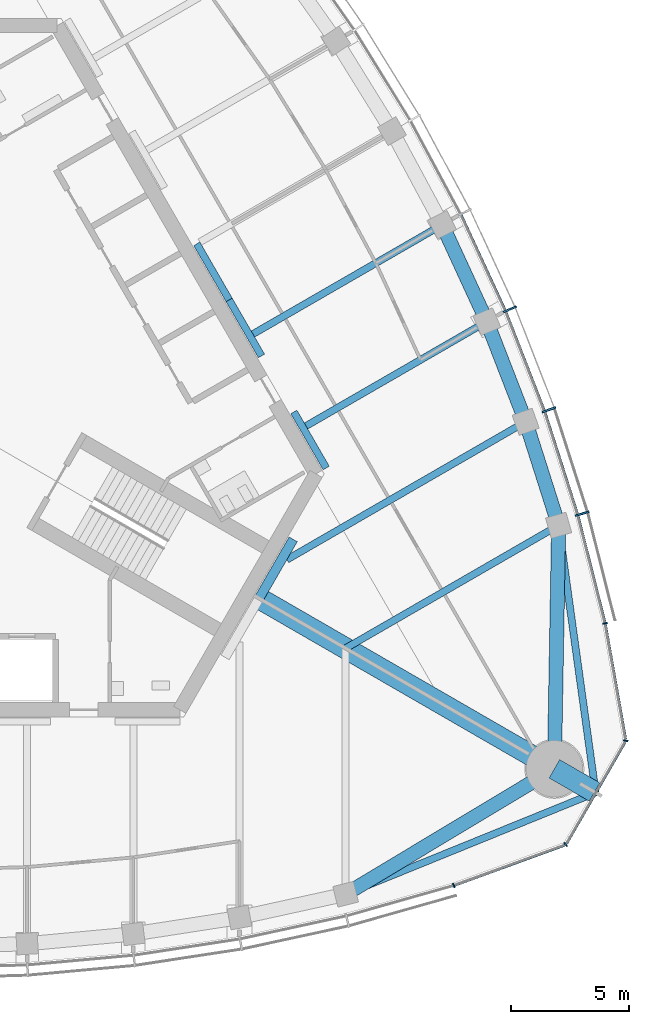
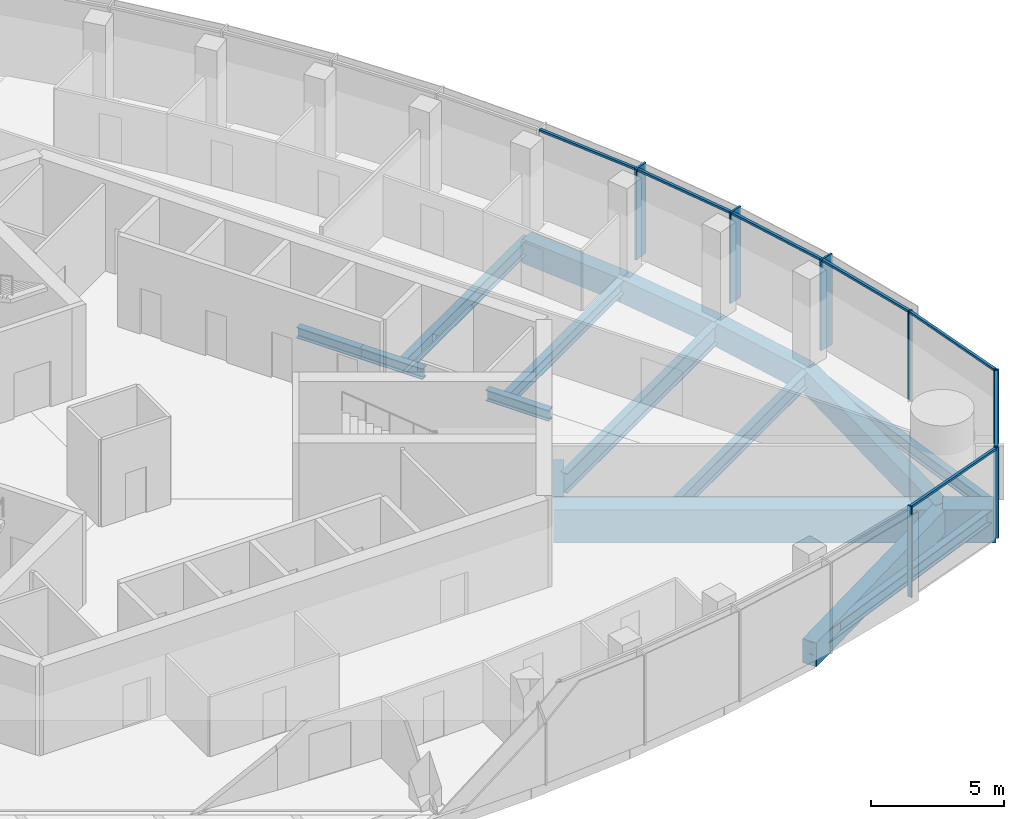
# One storey, part 4 of 16: 17 beams, 14 members, 2 elements without a shape of their own.
"""IFC4 building model written with IfcOpenShell, lengths in metres."""

from ifc_helpers import new_model, si_unit, direction, frame, origin, origin_2d, place, context, subcontext, project, spatial, rectangle, i_section, extrude, material, material_profile, profile_set, type_object, element, aggregate, save


model = new_model("IFC4")

# Units and contexts
model_context = context("Model", 3, precision=1e-05, world=origin(), true_north=direction((0.0, 1.0)))
body_context = subcontext(model_context, "Body", "Model", "MODEL_VIEW")
ifc_project = project(units=[si_unit("LENGTHUNIT", "METRE"), si_unit("AREAUNIT", "SQUARE_METRE"), si_unit("VOLUMEUNIT", "CUBIC_METRE"), si_unit("PLANEANGLEUNIT", "RADIAN"), si_unit("MASSUNIT", "GRAM", prefix="KILO")], contexts=[model_context])

# Site, building, storey
site_placement = place(None, origin())
site = spatial("IfcSite", under=ifc_project, at=site_placement, CompositionType="ELEMENT")
building_placement = place(site_placement, origin())
building = spatial("IfcBuilding", under=site, at=building_placement, Name="Trefoil Bronze Tower", CompositionType="ELEMENT")
storey_placement = place(building_placement, frame((0.0, 0.0, 301.5)))
storey = spatial("IfcBuildingStorey", under=building, at=storey_placement, Name="L69", CompositionType="ELEMENT", Elevation=301.5)

# Curtain wall, members
ifc_material_1 = material(Name="Tinted solar-control glass", Category="glass")
curtain_wall_type_1 = type_object("IfcCurtainWallType", Name="Bronze office curtain wall", PredefinedType="USERDEFINED", material=ifc_material_1)
curtain_wall_1_placement = place(storey_placement, origin())
curtain_wall_1 = element("IfcCurtainWall", 1, at=curtain_wall_1_placement, inside=storey, type_object=curtain_wall_type_1, Name="CW-A L69 F2", ObjectType="CURTAIN WALL", PredefinedType="USERDEFINED")
ifc_material_2 = material(Name="Bronze-finish aluminium", Category="aluminium")
ifc_material_profile_1 = material_profile(ifc_material_2, rectangle(XDim=0.60009765625, YDim=0.080078125, at=origin_2d()), Name="CW-A mullion")
ifc_profile_set_1 = profile_set([ifc_material_profile_1], Name="Bronze-finish aluminium")
member_type_1 = type_object("IfcMemberType", Name="Bronze office curtain wall mullion", PredefinedType="MULLION", material=ifc_profile_set_1)
member_1_placement = place(storey_placement, frame((28.02978515625, -4.685546875, 0.0), z_axis=(0.0, 0.0, 1.0), x_axis=(-0.961395843746, -0.275169096426, 0.0)))
member_1 = element("IfcMember", 2, at=member_1_placement, type_object=member_type_1, Name="CW-A L69 F2 mullion 2", PredefinedType="MULLION", context=body_context, shape_type="SweptSolid", body=[
    extrude(rectangle(XDim=0.60009765625, YDim=0.080078125, at=origin_2d()), origin(), (0.0, 0.0, 1.0), 4.179931640625),
])
member_2_placement = place(storey_placement, frame((26.618896484375, -0.282958984375, 0.0), z_axis=(0.0, 0.0, 1.0), x_axis=(-0.942448408407, -0.334351607581, 0.0)))
member_2 = element("IfcMember", 3, at=member_2_placement, type_object=member_type_1, Name="CW-A L69 F2 mullion 3", PredefinedType="MULLION", context=body_context, shape_type="SweptSolid", body=[
    extrude(rectangle(XDim=0.60009765625, YDim=0.080078125, at=origin_2d()), origin(), (0.0, 0.0, 1.0), 4.179931640625),
])
member_3_placement = place(storey_placement, frame((24.958984375, 3.975830078125, 0.0), z_axis=(0.0, 0.0, 1.0), x_axis=(-0.920205407004, -0.391435829888, 0.0)))
member_3 = element("IfcMember", 4, at=member_3_placement, type_object=member_type_1, Name="CW-A L69 F2 mullion 4", PredefinedType="MULLION", context=body_context, shape_type="SweptSolid", body=[
    extrude(rectangle(XDim=0.60009765625, YDim=0.080078125, at=origin_2d()), origin(), (0.0, 0.0, 1.0), 4.179931640625),
])
ifc_material_3 = material(Name="Bronze-finish aluminium", Category="aluminium")
ifc_material_profile_2 = material_profile(ifc_material_3, rectangle(XDim=0.1201171875, YDim=0.10009765625, at=origin_2d()), Name="CW-A transom")
ifc_profile_set_2 = profile_set([ifc_material_profile_2], Name="Bronze-finish aluminium")
member_type_2 = type_object("IfcMemberType", Name="Bronze office curtain wall transom", PredefinedType="USERDEFINED", material=ifc_profile_set_2)
member_4_placement = place(storey_placement, frame((28.986328125, -9.288330078125, 4.1298828125), z_axis=(-0.244908148095, 0.969546285123, 0.0), x_axis=(-0.969546285123, -0.244908148095, 0.0)))
member_4 = element("IfcMember", 5, at=member_4_placement, type_object=member_type_2, Name="CW-A L69 F2 transom 1", ObjectType="TRANSOM", PredefinedType="USERDEFINED", context=body_context, shape_type="SweptSolid", body=[
    extrude(rectangle(XDim=0.1201171875, YDim=0.10009765625, at=origin_2d()), origin(), (0.0, 0.0, 1.0), 4.6474609375),
])
member_5_placement = place(storey_placement, frame((27.824462890625, -4.699462890625, 4.1298828125), z_axis=(-0.305198606794, 0.95228872219, 0.0), x_axis=(-0.95228872219, -0.305198606794, 0.0)))
member_5 = element("IfcMember", 6, at=member_5_placement, type_object=member_type_2, Name="CW-A L69 F2 transom 2", ObjectType="TRANSOM", PredefinedType="USERDEFINED", context=body_context, shape_type="SweptSolid", body=[
    extrude(rectangle(XDim=0.1201171875, YDim=0.10009765625, at=origin_2d()), origin(), (0.0, 0.0, 1.0), 4.5244140625),
])
member_6_placement = place(storey_placement, frame((26.414794921875, -0.3095703125, 4.1298828125), z_axis=(-0.363178486404, 0.931719586042, 0.0), x_axis=(-0.931719586042, -0.363178486404, 0.0)))
member_6 = element("IfcMember", 7, at=member_6_placement, type_object=member_type_2, Name="CW-A L69 F2 transom 3", ObjectType="TRANSOM", PredefinedType="USERDEFINED", context=body_context, shape_type="SweptSolid", body=[
    extrude(rectangle(XDim=0.1201171875, YDim=0.10009765625, at=origin_2d()), origin(), (0.0, 0.0, 1.0), 4.472412109375),
])
member_7_placement = place(storey_placement, frame((24.7568359375, 3.9365234375, 4.1298828125), z_axis=(-0.4192988407, 0.907848270466, 0.0), x_axis=(-0.907848270466, -0.4192988407, 0.0)))
member_7 = element("IfcMember", 8, at=member_7_placement, type_object=member_type_2, Name="CW-A L69 F2 transom 4", ObjectType="TRANSOM", PredefinedType="USERDEFINED", context=body_context, shape_type="SweptSolid", body=[
    extrude(rectangle(XDim=0.1201171875, YDim=0.10009765625, at=origin_2d()), origin(), (0.0, 0.0, 1.0), 4.4384765625),
])
aggregate(curtain_wall_1, [member_1, member_2, member_3, member_4, member_5, member_6, member_7])

ifc_material_4 = material(Name="Tinted solar-control glass", Category="glass")
curtain_wall_type_2 = type_object("IfcCurtainWallType", Name="Bronze rounded corner curtain wall", PredefinedType="USERDEFINED", material=ifc_material_4)
curtain_wall_2_placement = place(storey_placement, origin())
curtain_wall_2 = element("IfcCurtainWall", 9, at=curtain_wall_2_placement, inside=storey, type_object=curtain_wall_type_2, Name="CW-B L69 K1", ObjectType="CURTAIN WALL", PredefinedType="USERDEFINED")
ifc_material_5 = material(Name="Bronze-finish aluminium", Category="aluminium")
ifc_material_profile_3 = material_profile(ifc_material_5, rectangle(XDim=0.199951171875, YDim=0.06005859375, at=origin_2d()), Name="CW-B mullion")
ifc_profile_set_3 = profile_set([ifc_material_profile_3], Name="Bronze-finish aluminium")
member_type_3 = type_object("IfcMemberType", Name="Bronze rounded corner curtain wall mullion", PredefinedType="MULLION", material=ifc_profile_set_3)
member_8_placement = place(storey_placement, frame((22.58251953125, -20.445556640625, 0.0), z_axis=(0.0, 0.0, 1.0), x_axis=(-0.342020143326, 0.939692620786, 0.0)))
member_8 = element("IfcMember", 10, at=member_8_placement, type_object=member_type_3, Name="CW-B L69 K1 mullion 1", PredefinedType="MULLION", context=body_context, shape_type="SweptSolid", body=[
    extrude(rectangle(XDim=0.199951171875, YDim=0.06005859375, at=origin_2d()), origin(), (0.0, 0.0, 1.0), 4.179931640625),
])
member_9_placement = place(storey_placement, frame((27.326416015625, -18.712646484375, 0.0), z_axis=(0.0, 0.0, 1.0), x_axis=(-0.642787609687, 0.766044443119, 0.0)))
member_9 = element("IfcMember", 11, at=member_9_placement, type_object=member_type_3, Name="CW-B L69 K1 mullion 2", PredefinedType="MULLION", context=body_context, shape_type="SweptSolid", body=[
    extrude(rectangle(XDim=0.199951171875, YDim=0.06005859375, at=origin_2d()), origin(), (0.0, 0.0, 1.0), 4.179931640625),
])
member_10_placement = place(storey_placement, frame((29.86865234375, -14.30908203125, 0.0), z_axis=(0.0, 0.0, 1.0), x_axis=(-0.984807753012, 0.173648177667, 0.0)))
member_10 = element("IfcMember", 12, at=member_10_placement, type_object=member_type_3, Name="CW-B L69 K1 mullion 3", PredefinedType="MULLION", context=body_context, shape_type="SweptSolid", body=[
    extrude(rectangle(XDim=0.199951171875, YDim=0.06005859375, at=origin_2d()), origin(), (0.0, 0.0, 1.0), 4.179931640625),
])
member_11_placement = place(storey_placement, frame((28.99755859375, -9.334228515625, 0.0), z_axis=(0.0, 0.0, 1.0), x_axis=(-0.984807753012, -0.173648177667, 0.0)))
member_11 = element("IfcMember", 13, at=member_11_placement, type_object=member_type_3, Name="CW-B L69 K1 mullion 4", PredefinedType="MULLION", context=body_context, shape_type="SweptSolid", body=[
    extrude(rectangle(XDim=0.199951171875, YDim=0.06005859375, at=origin_2d()), origin(), (0.0, 0.0, 1.0), 4.179931640625),
])
ifc_material_6 = material(Name="Bronze-finish aluminium", Category="aluminium")
ifc_material_profile_4 = material_profile(ifc_material_6, rectangle(XDim=0.1201171875, YDim=0.10009765625, at=origin_2d()), Name="CW-B transom")
ifc_profile_set_4 = profile_set([ifc_material_profile_4], Name="Bronze-finish aluminium")
member_type_4 = type_object("IfcMemberType", Name="Bronze rounded corner curtain wall transom", PredefinedType="USERDEFINED", material=ifc_profile_set_4)
member_12_placement = place(storey_placement, frame((22.610595703125, -20.435302734375, 4.1298828125), z_axis=(0.93969990549, 0.342000128103, 0.0), x_axis=(-0.342000128103, 0.93969990549, 0.0)))
member_12 = element("IfcMember", 14, at=member_12_placement, type_object=member_type_4, Name="CW-B L69 K1 transom 1", ObjectType="TRANSOM", PredefinedType="USERDEFINED", context=body_context, shape_type="SweptSolid", body=[
    extrude(rectangle(XDim=0.1201171875, YDim=0.10009765625, at=origin_2d()), origin(), (0.0, 0.0, 1.0), 4.956298828125),
])
member_13_placement = place(storey_placement, frame((27.36376953125, -18.659912109375, 4.1298828125), z_axis=(0.499985403706, 0.866033830794, 0.0), x_axis=(-0.866033830794, 0.499985403706, 0.0)))
member_13 = element("IfcMember", 15, at=member_13_placement, type_object=member_type_4, Name="CW-B L69 K1 transom 2", ObjectType="TRANSOM", PredefinedType="USERDEFINED", context=body_context, shape_type="SweptSolid", body=[
    extrude(rectangle(XDim=0.1201171875, YDim=0.10009765625, at=origin_2d()), origin(), (0.0, 0.0, 1.0), 4.956298828125),
])
member_14_placement = place(storey_placement, frame((29.863525390625, -14.244873046875, 4.1298828125), z_axis=(-0.173633591509, 0.984810324834, 0.0), x_axis=(-0.984810324834, -0.173633591509, 0.0)))
member_14 = element("IfcMember", 16, at=member_14_placement, type_object=member_type_4, Name="CW-B L69 K1 transom 3", ObjectType="TRANSOM", PredefinedType="USERDEFINED", context=body_context, shape_type="SweptSolid", body=[
    extrude(rectangle(XDim=0.1201171875, YDim=0.10009765625, at=origin_2d()), origin(), (0.0, 0.0, 1.0), 4.956298828125),
])
aggregate(curtain_wall_2, [member_8, member_9, member_10, member_11, member_12, member_13, member_14])

# Beams
ifc_material_7 = material(Name="Steel C355", Category="steel")
ifc_material_profile_5 = material_profile(ifc_material_7, i_section(OverallWidth=0.300048828125, OverallDepth=0.5, WebThickness=0.014404296875, FlangeThickness=0.028076171875, FilletRadius=0.027099609375, at=origin_2d()), Name="HEB 500")
ifc_profile_set_5 = profile_set([ifc_material_profile_5], Name="Steel C355")
beam_type_1 = type_object("IfcBeamType", Name="Core seat beam HEB 500", PredefinedType="BEAM", material=ifc_profile_set_5)
for number, where, z_axis, x_axis, name in (
    (17, (17.17626953125, -2.75, -0.449951171875), (-0.500035825175, 0.866004719122, 0.0), (-0.866004719122, -0.500035825175, 0.0), "Core seat beam F2/-2 L69"),
    (18, (14.433837890625, 2.0, -0.449951171875), (-0.500035825175, 0.866004719122, 0.0), (-0.866004719122, -0.500035825175, 0.0), "Core seat beam F2/-1 L69"),
    (19, (13.0625, 4.375, -0.449951171875), (-0.499969057507, 0.866043267704, 0.0), (-0.866043267704, -0.499969057507, 0.0), "Core seat beam F2/+0 L69"),
):
    element("IfcBeam", number, at=place(storey_placement, frame(where, z_axis=z_axis, x_axis=x_axis)), inside=storey, type_object=beam_type_1, Name=name, PredefinedType="BEAM", context=body_context, shape_type="SweptSolid", body=[
        extrude(i_section(OverallWidth=0.300048828125, OverallDepth=0.5, WebThickness=0.014404296875, FlangeThickness=0.028076171875, FilletRadius=0.027099609375, at=origin_2d()), origin(), (0.0, 0.0, 1.0), 2.742431640625),
    ])
ifc_material_8 = material(Name="Steel C355", Category="steel")
ifc_material_profile_6 = material_profile(ifc_material_8, i_section(OverallWidth=0.39990234375, OverallDepth=1.199951171875, WebThickness=0.02001953125, FlangeThickness=0.0400390625, FilletRadius=0.010009765625, at=origin_2d()), Name="WPG 1200")
ifc_profile_set_6 = profile_set([ifc_material_profile_6], Name="Steel C355")
beam_type_2 = type_object("IfcBeamType", Name="Core seat beam WPG 1200", PredefinedType="BEAM", material=ifc_profile_set_6)
beam_1_placement = place(storey_placement, frame((14.332763671875, -8.27490234375, -0.800048828125), z_axis=(0.499995765644, 0.866027848477, 0.0), x_axis=(-0.866027848477, 0.499995765644, 0.0)))
element("IfcBeam", 20, at=beam_1_placement, inside=storey, type_object=beam_type_2, Name="Core seat beam F2/-3 L69", PredefinedType="BEAM", context=body_context, shape_type="SweptSolid", body=[
    extrude(i_section(OverallWidth=0.39990234375, OverallDepth=1.199951171875, WebThickness=0.02001953125, FlangeThickness=0.0400390625, FilletRadius=0.010009765625, at=origin_2d()), origin(), (0.0, 0.0, 1.0), 2.88671875),
])
ifc_material_9 = material(Name="Concrete B80", Category="concrete")
ifc_material_profile_7 = material_profile(ifc_material_9, rectangle(XDim=0.89990234375, YDim=1.5, at=origin_2d()), Name="RC 900x1500")
ifc_profile_set_7 = profile_set([ifc_material_profile_7], Name="Concrete B80")
beam_type_3 = type_object("IfcBeamType", Name="Corner cantilever RC 900x1500", PredefinedType="BEAM", material=ifc_profile_set_7)
beam_2_placement = place(storey_placement, frame((26.8466796875, -15.5, -0.949951171875), z_axis=(0.866010470582, -0.500025864173, 0.0), x_axis=(0.500025864173, 0.866010470582, 0.0)))
element("IfcBeam", 21, at=beam_2_placement, inside=storey, type_object=beam_type_3, Name="Corner cantilever K1 L69", PredefinedType="BEAM", context=body_context, shape_type="SweptSolid", body=[
    extrude(rectangle(XDim=0.89990234375, YDim=1.5, at=origin_2d()), origin(), (0.0, 0.0, 1.0), 2.02001953125),
])
ifc_material_10 = material(Name="Steel C355", Category="steel")
ifc_material_profile_8 = material_profile(ifc_material_10, i_section(OverallWidth=0.300048828125, OverallDepth=0.60009765625, WebThickness=0.015380859375, FlangeThickness=0.030029296875, FilletRadius=0.027099609375, at=origin_2d()), Name="HEB 600")
ifc_profile_set_8 = profile_set([ifc_material_profile_8], Name="Steel C355")
beam_type_4 = type_object("IfcBeamType", Name="Corner edge beam HEB 600", PredefinedType="BEAM", material=ifc_profile_set_8)
beam_3_placement = place(storey_placement, frame((18.0, -20.816162109375, -0.5), z_axis=(0.926419351914, 0.376493272714, 0.0), x_axis=(-0.376493272714, 0.926419351914, 0.0)))
element("IfcBeam", 22, at=beam_3_placement, inside=storey, type_object=beam_type_4, Name="Corner edge beam F1A L69", PredefinedType="BEAM", context=body_context, shape_type="SweptSolid", body=[
    extrude(i_section(OverallWidth=0.300048828125, OverallDepth=0.60009765625, WebThickness=0.015380859375, FlangeThickness=0.030029296875, FilletRadius=0.027099609375, at=origin_2d()), origin(), (0.0, 0.0, 1.0), 11.4375),
])
beam_4_placement = place(storey_placement, frame((27.02734375, -5.180419921875, -0.5), z_axis=(0.137143714313, -0.990551160529, 0.0), x_axis=(0.990551160529, 0.137143714313, 0.0)))
element("IfcBeam", 23, at=beam_4_placement, inside=storey, type_object=beam_type_4, Name="Corner edge beam F2B L69", PredefinedType="BEAM", context=body_context, shape_type="SweptSolid", body=[
    extrude(i_section(OverallWidth=0.300048828125, OverallDepth=0.60009765625, WebThickness=0.015380859375, FlangeThickness=0.030029296875, FilletRadius=0.027099609375, at=origin_2d()), origin(), (0.0, 0.0, 1.0), 11.437744140625),
])
ifc_material_11 = material(Name="Concrete B80", Category="concrete")
ifc_material_profile_9 = material_profile(ifc_material_11, rectangle(XDim=0.89990234375, YDim=1.5, at=origin_2d()), Name="RC 900x1500")
ifc_profile_set_9 = profile_set([ifc_material_profile_9], Name="Concrete B80")
beam_type_5 = type_object("IfcBeamType", Name="Corner girder RC 900x1500", PredefinedType="BEAM", material=ifc_profile_set_9)
beam_5_placement = place(storey_placement, frame((14.159423828125, -8.175048828125, -0.949951171875), z_axis=(0.866026568746, -0.499997982221, 0.0), x_axis=(0.499997982221, 0.866026568746, 0.0)))
element("IfcBeam", 24, at=beam_5_placement, inside=storey, type_object=beam_type_5, Name="Corner girder K1 L69", PredefinedType="BEAM", context=body_context, shape_type="SweptSolid", body=[
    extrude(rectangle(XDim=0.89990234375, YDim=1.5, at=origin_2d()), origin(), (0.0, 0.0, 1.0), 14.64990234375),
])
ifc_material_12 = material(Name="Concrete B80", Category="concrete")
ifc_material_profile_10 = material_profile(ifc_material_12, rectangle(XDim=0.60009765625, YDim=1.10009765625, at=origin_2d()), Name="RC 600x1100")
ifc_profile_set_10 = profile_set([ifc_material_profile_10], Name="Concrete B80")
beam_type_6 = type_object("IfcBeamType", Name="End spandrel beam RC 600x1100", PredefinedType="SPANDREL", material=ifc_profile_set_10)
for number, where, z_axis, x_axis, name in (
    (25, (18.0, -20.816162109375, -0.75), (0.857144173035, 0.515076563855, 0.0), (-0.515076563855, 0.857144173035, 0.0), "Spandrel F1.10 L69"),
    (26, (26.8466796875, -15.5, -0.75), (0.017504237714, 0.999846789094, 0.0), (-0.999846789094, 0.017504237714, 0.0), "Spandrel F2.1 L69"),
):
    element("IfcBeam", number, at=place(storey_placement, frame(where, z_axis=z_axis, x_axis=x_axis)), inside=storey, type_object=beam_type_6, Name=name, PredefinedType="SPANDREL", context=body_context, shape_type="SweptSolid", body=[
        extrude(rectangle(XDim=0.60009765625, YDim=1.10009765625, at=origin_2d()), origin(), (0.0, 0.0, 1.0), 10.321044921875),
    ])
ifc_material_13 = material(Name="Steel C355", Category="steel")
ifc_material_profile_11 = material_profile(ifc_material_13, i_section(OverallWidth=0.300048828125, OverallDepth=0.60009765625, WebThickness=0.015380859375, FlangeThickness=0.030029296875, FilletRadius=0.027099609375, at=origin_2d()), Name="HEB 600")
ifc_profile_set_11 = profile_set([ifc_material_profile_11], Name="Steel C355")
beam_type_7 = type_object("IfcBeamType", Name="Floor beam HEB 600", PredefinedType="BEAM", material=ifc_profile_set_11)
beam_6_placement = place(storey_placement, frame((23.98486328125, 3.455322265625, -0.5), z_axis=(-0.866025701847, -0.499999483739, 0.0), x_axis=(0.499999483739, -0.866025701847, 0.0)))
element("IfcBeam", 27, at=beam_6_placement, inside=storey, type_object=beam_type_7, Name="Floor beam F2/-2 L69", PredefinedType="BEAM", context=body_context, shape_type="SweptSolid", body=[
    extrude(i_section(OverallWidth=0.300048828125, OverallDepth=0.60009765625, WebThickness=0.015380859375, FlangeThickness=0.030029296875, FilletRadius=0.027099609375, at=origin_2d()), origin(), (0.0, 0.0, 1.0), 8.84912109375),
])
ifc_material_14 = material(Name="Steel C355", Category="steel")
ifc_material_profile_12 = material_profile(ifc_material_14, i_section(OverallWidth=0.300048828125, OverallDepth=0.699951171875, WebThickness=0.01708984375, FlangeThickness=0.031982421875, FilletRadius=0.027099609375, at=origin_2d()), Name="HEB 700")
ifc_profile_set_12 = profile_set([ifc_material_profile_12], Name="Steel C355")
beam_type_8 = type_object("IfcBeamType", Name="Floor beam HEB 700", PredefinedType="BEAM", material=ifc_profile_set_12)
beam_7_placement = place(storey_placement, frame((27.02734375, -5.180419921875, -0.550048828125), z_axis=(-0.866026453994, -0.499998180979, 0.0), x_axis=(0.499998180979, -0.866026453994, 0.0)))
element("IfcBeam", 28, at=beam_7_placement, inside=storey, type_object=beam_type_8, Name="Floor beam F2/-4 L69", PredefinedType="BEAM", context=body_context, shape_type="SweptSolid", body=[
    extrude(i_section(OverallWidth=0.300048828125, OverallDepth=0.699951171875, WebThickness=0.01708984375, FlangeThickness=0.031982421875, FilletRadius=0.027099609375, at=origin_2d()), origin(), (0.0, 0.0, 1.0), 10.423828125),
])
beam_8_placement = place(storey_placement, frame((22.093994140625, 7.559814453125, -0.550048828125), z_axis=(-0.866028909405, -0.499993928037, 0.0), x_axis=(0.499993928037, -0.866028909405, 0.0)))
element("IfcBeam", 29, at=beam_8_placement, inside=storey, type_object=beam_type_8, Name="Floor beam F2/-1 L69", PredefinedType="BEAM", context=body_context, shape_type="SweptSolid", body=[
    extrude(i_section(OverallWidth=0.300048828125, OverallDepth=0.699951171875, WebThickness=0.01708984375, FlangeThickness=0.031982421875, FilletRadius=0.027099609375, at=origin_2d()), origin(), (0.0, 0.0, 1.0), 9.263671875),
])
ifc_material_15 = material(Name="Steel C355", Category="steel")
ifc_material_profile_13 = material_profile(ifc_material_15, i_section(OverallWidth=0.300048828125, OverallDepth=0.89990234375, WebThickness=0.0185546875, FlangeThickness=0.034912109375, FilletRadius=0.030029296875, at=origin_2d()), Name="HEB 900")
ifc_profile_set_13 = profile_set([ifc_material_profile_13], Name="Steel C355")
beam_type_9 = type_object("IfcBeamType", Name="Floor beam HEB 900", PredefinedType="BEAM", material=ifc_profile_set_13)
beam_9_placement = place(storey_placement, frame((25.631591796875, -0.7900390625, -0.64990234375), z_axis=(-0.866026929639, -0.499997357134, 0.0), x_axis=(0.499997357134, -0.866026929639, 0.0)))
element("IfcBeam", 30, at=beam_9_placement, inside=storey, type_object=beam_type_9, Name="Floor beam F2/-3 L69", PredefinedType="BEAM", context=body_context, shape_type="SweptSolid", body=[
    extrude(i_section(OverallWidth=0.300048828125, OverallDepth=0.89990234375, WebThickness=0.0185546875, FlangeThickness=0.034912109375, FilletRadius=0.030029296875, at=origin_2d()), origin(), (0.0, 0.0, 1.0), 11.68505859375),
])
ifc_material_16 = material(Name="Concrete B80", Category="concrete")
ifc_material_profile_14 = material_profile(ifc_material_16, rectangle(XDim=0.60009765625, YDim=1.10009765625, at=origin_2d()), Name="RC 600x1100")
ifc_profile_set_14 = profile_set([ifc_material_profile_14], Name="Concrete B80")
beam_type_10 = type_object("IfcBeamType", Name="Spandrel beam RC 600x1100", PredefinedType="SPANDREL", material=ifc_profile_set_14)
beam_10_placement = place(storey_placement, frame((27.02734375, -5.180419921875, -0.75), z_axis=(-0.302969597344, 0.953000221975, 0.0), x_axis=(-0.953000221975, -0.302969597344, 0.0)))
element("IfcBeam", 31, at=beam_10_placement, inside=storey, type_object=beam_type_10, Name="Spandrel F2.2 L69", PredefinedType="SPANDREL", context=body_context, shape_type="SweptSolid", body=[
    extrude(rectangle(XDim=0.60009765625, YDim=1.10009765625, at=origin_2d()), origin(), (0.0, 0.0, 1.0), 4.60693359375),
])
beam_11_placement = place(storey_placement, frame((25.631591796875, -0.7900390625, -0.75), z_axis=(-0.361636286502, 0.932319256631, 0.0), x_axis=(-0.932319256631, -0.361636286502, 0.0)))
element("IfcBeam", 32, at=beam_11_placement, inside=storey, type_object=beam_type_10, Name="Spandrel F2.3 L69", PredefinedType="SPANDREL", context=body_context, shape_type="SweptSolid", body=[
    extrude(rectangle(XDim=0.60009765625, YDim=1.10009765625, at=origin_2d()), origin(), (0.0, 0.0, 1.0), 4.553466796875),
])
beam_12_placement = place(storey_placement, frame((23.98486328125, 3.455322265625, -0.75), z_axis=(-0.418417425199, 0.90825484215, 0.0), x_axis=(-0.90825484215, -0.418417425199, 0.0)))
element("IfcBeam", 33, at=beam_12_placement, inside=storey, type_object=beam_type_10, Name="Spandrel F2.4 L69", PredefinedType="SPANDREL", context=body_context, shape_type="SweptSolid", body=[
    extrude(rectangle(XDim=0.60009765625, YDim=1.10009765625, at=origin_2d()), origin(), (0.0, 0.0, 1.0), 4.51904296875),
])

save(model, "model.ifc")
